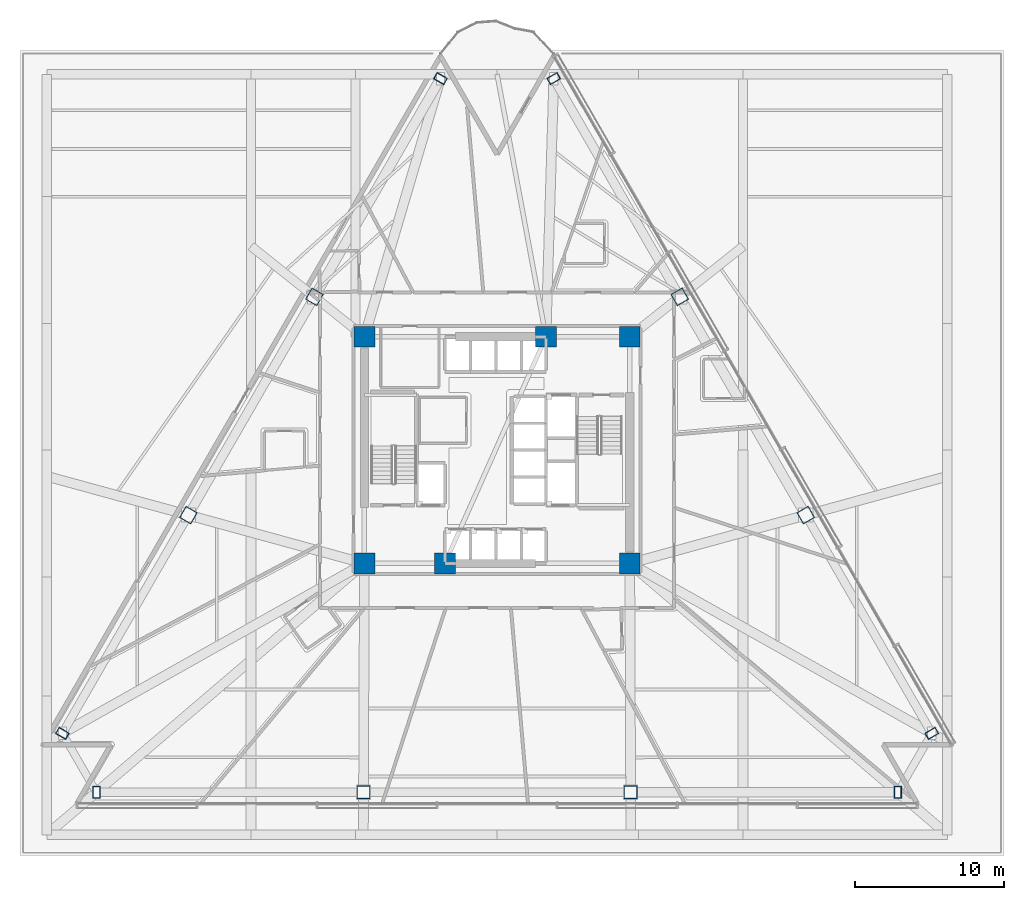
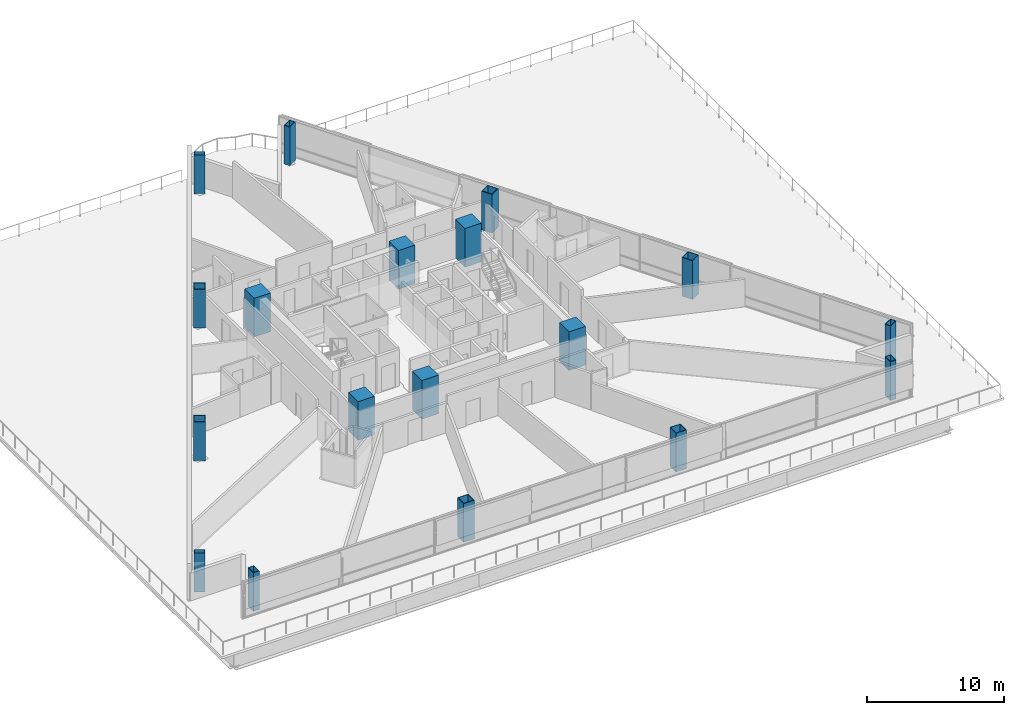
# One storey, part 1 of 19: 18 columns.
"""IFC4 building model written with IfcOpenShell, lengths in metres."""

from ifc_helpers import new_model, si_unit, direction, frame, origin, origin_2d, place, context, subcontext, project, spatial, rectangle, hollow_rectangle, extrude, material, material_profile, profile_set, type_object, element, save


model = new_model("IFC4")

# Units and contexts
model_context = context("Model", 3, precision=1e-05, world=origin(), true_north=direction((0.0, 1.0)))
body_context = subcontext(model_context, "Body", "Model", "MODEL_VIEW")
ifc_project = project(units=[si_unit("LENGTHUNIT", "METRE"), si_unit("AREAUNIT", "SQUARE_METRE"), si_unit("VOLUMEUNIT", "CUBIC_METRE"), si_unit("PLANEANGLEUNIT", "RADIAN"), si_unit("MASSUNIT", "GRAM", prefix="KILO")], contexts=[model_context])

# Site, building, storey
site_placement = place(None, origin())
site = spatial("IfcSite", under=ifc_project, at=site_placement, CompositionType="ELEMENT")
building_placement = place(site_placement, origin())
building = spatial("IfcBuilding", under=site, at=building_placement, Name="Tharavind Bronze Gate", CompositionType="ELEMENT")
storey_placement = place(building_placement, frame((0.0, 0.0, 31.800048828125)))
storey = spatial("IfcBuildingStorey", under=building, at=storey_placement, Name="L06", CompositionType="ELEMENT", Elevation=31.800048828125)

# Columns
ifc_material_1 = material(Name="Steel S460", Category="steel")
ifc_material_profile_1 = material_profile(ifc_material_1, hollow_rectangle(XDim=0.5, YDim=0.800048828125, WallThickness=0.0400390625, at=origin_2d()), Name="RHS800X500X40")
ifc_profile_set_1 = profile_set([ifc_material_profile_1], Name="Steel S460")
column_type_1 = type_object("IfcColumnType", Name="CORNER NOTCH COLUMN RHS800X500", PredefinedType="COLUMN", material=ifc_profile_set_1)
for number, where, z_axis, x_axis, name in (
    (1, (-3.800048828125, 24.918212890625, 0.0), (0.0, 0.0, 1.0), (0.500001511499, 0.866024531118, 0.0), "L06 perimeter column S1C1"),
    (2, (-29.15673828125, -19.0009765625, 0.0), (0.0, 0.0, 1.0), (0.500001511499, 0.866024531118, 0.0), "L06 perimeter column S1C4"),
    (3, (-26.876708984375, -22.949951171875, 0.0), (0.0, 0.0, 1.0), (1.0, 0.0, 0.0), "L06 perimeter column S2C1"),
    (4, (26.876708984375, -22.949951171875, 0.0), (0.0, 0.0, 1.0), (1.0, 0.0, 0.0), "L06 perimeter column S2C4"),
    (5, (29.15673828125, -19.0009765625, 0.0), (0.0, 0.0, 1.0), (-0.500001511499, 0.866024531118, 0.0), "L06 perimeter column S3C1"),
    (6, (3.800048828125, 24.918212890625, 0.0), (0.0, 0.0, 1.0), (-0.500001511499, 0.866024531118, 0.0), "L06 perimeter column S3C4"),
):
    element("IfcColumn", number, at=place(storey_placement, frame(where, z_axis=z_axis, x_axis=x_axis)), inside=storey, type_object=column_type_1, Name=name, PredefinedType="COLUMN", context=body_context, shape_type="SweptSolid", body=[
        extrude(hollow_rectangle(XDim=0.5, YDim=0.800048828125, WallThickness=0.0400390625, at=origin_2d()), origin(), (0.0, 0.0, 1.0), 3.449951171875),
    ])
ifc_material_2 = material(Name="Concrete C70/85", Category="concrete")
ifc_material_profile_2 = material_profile(ifc_material_2, rectangle(XDim=1.39990234375, YDim=1.39990234375, at=origin_2d()), Name="RCCOL1400")
ifc_profile_set_2 = profile_set([ifc_material_profile_2], Name="Concrete C70/85")
column_type_2 = type_object("IfcColumnType", Name="MEGA CORE COLUMN 1400", PredefinedType="COLUMN", material=ifc_profile_set_2)
for number, where, z_axis, x_axis, name in (
    (7, (-8.89990234375, -7.60009765625, 0.0), (0.0, 0.0, 1.0), (1.0, 0.0, 0.0), "L06 core mega column MC1"),
    (8, (-3.5, -7.60009765625, 0.0), (0.0, 0.0, 1.0), (1.0, 0.0, 0.0), "L06 core mega column MC2"),
    (9, (8.89990234375, -7.60009765625, 0.0), (0.0, 0.0, 1.0), (1.0, 0.0, 0.0), "L06 core mega column MC3"),
    (10, (8.89990234375, 7.60009765625, 0.0), (0.0, 0.0, 1.0), (1.0, 0.0, 0.0), "L06 core mega column MC4"),
    (11, (3.280029296875, 7.60009765625, 0.0), (0.0, 0.0, 1.0), (1.0, 0.0, 0.0), "L06 core mega column MC5"),
    (12, (-8.89990234375, 7.60009765625, 0.0), (0.0, 0.0, 1.0), (1.0, 0.0, 0.0), "L06 core mega column MC6"),
):
    element("IfcColumn", number, at=place(storey_placement, frame(where, z_axis=z_axis, x_axis=x_axis)), inside=storey, type_object=column_type_2, Name=name, PredefinedType="COLUMN", context=body_context, shape_type="SweptSolid", body=[
        extrude(rectangle(XDim=1.39990234375, YDim=1.39990234375, at=origin_2d()), origin(), (0.0, 0.0, 1.0), 3.449951171875),
    ])
ifc_material_profile_3 = material_profile(ifc_material_1, hollow_rectangle(XDim=0.89990234375, YDim=0.89990234375, WallThickness=0.050048828125, at=origin_2d()), Name="SHS900X50")
ifc_profile_set_3 = profile_set([ifc_material_profile_3], Name="Steel S460")
column_type_3 = type_object("IfcColumnType", Name="PERIMETER BOX COLUMN SHS900", PredefinedType="COLUMN", material=ifc_profile_set_3)
for number, where, z_axis, x_axis, name in (
    (13, (-12.252197265625, 10.278564453125, 0.0), (0.0, 0.0, 1.0), (0.500001511499, 0.866024531118, 0.0), "L06 perimeter column S1C2"),
    (14, (-20.70458984375, -4.361083984375, 0.0), (0.0, 0.0, 1.0), (0.500001511499, 0.866024531118, 0.0), "L06 perimeter column S1C3"),
    (15, (-8.958984375, -22.949951171875, 0.0), (0.0, 0.0, 1.0), (1.0, 0.0, 0.0), "L06 perimeter column S2C2"),
    (16, (8.958984375, -22.949951171875, 0.0), (0.0, 0.0, 1.0), (1.0, 0.0, 0.0), "L06 perimeter column S2C3"),
    (17, (20.70458984375, -4.361083984375, 0.0), (0.0, 0.0, 1.0), (-0.500001511499, 0.866024531118, 0.0), "L06 perimeter column S3C2"),
    (18, (12.252197265625, 10.278564453125, 0.0), (0.0, 0.0, 1.0), (-0.500001511499, 0.866024531118, 0.0), "L06 perimeter column S3C3"),
):
    element("IfcColumn", number, at=place(storey_placement, frame(where, z_axis=z_axis, x_axis=x_axis)), inside=storey, type_object=column_type_3, Name=name, PredefinedType="COLUMN", context=body_context, shape_type="SweptSolid", body=[
        extrude(hollow_rectangle(XDim=0.89990234375, YDim=0.89990234375, WallThickness=0.050048828125, at=origin_2d()), origin(), (0.0, 0.0, 1.0), 3.449951171875),
    ])

save(model, "model.ifc")
